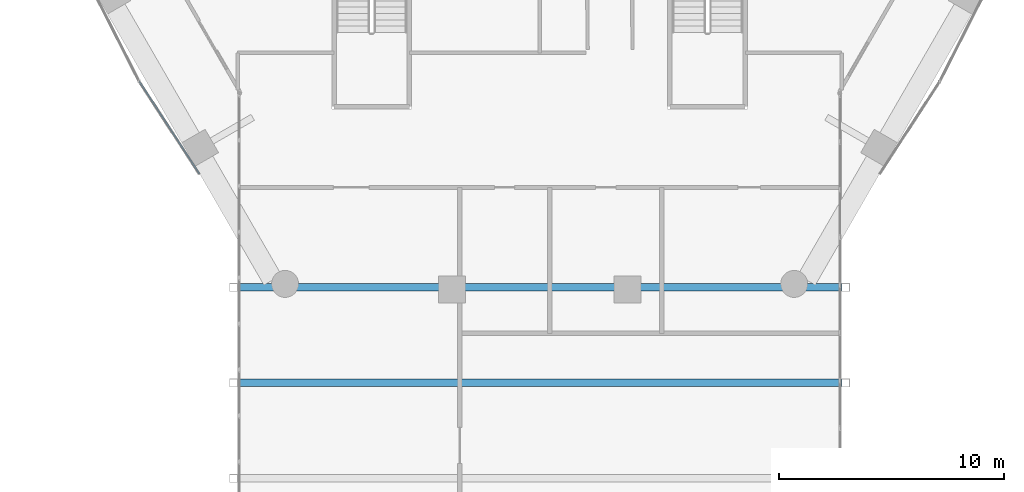
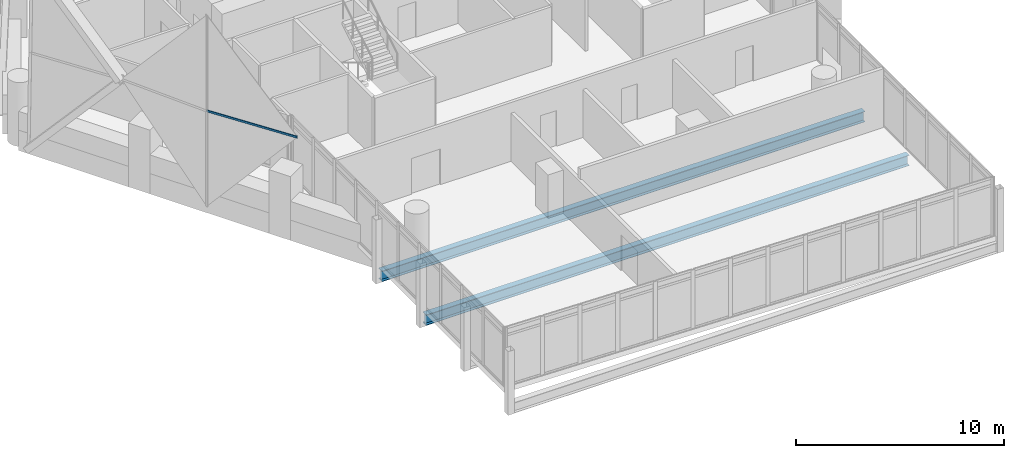
# One storey, part 8 of 38: 2 beams, 1 member, 1 element without a shape of its own.
"""IFC4 building model written with IfcOpenShell, lengths in metres."""

from ifc_helpers import new_model, si_unit, direction, frame, origin, origin_2d, place, context, subcontext, project, spatial, hollow_rectangle, i_section, extrude, material, material_profile, profile_set, type_object, element, aggregate, save


model = new_model("IFC4")

# Units and contexts
model_context = context("Model", 3, precision=1e-05, world=origin(), true_north=direction((0.0, 1.0)))
body_context = subcontext(model_context, "Body", "Model", "MODEL_VIEW")
ifc_project = project(units=[si_unit("LENGTHUNIT", "METRE"), si_unit("AREAUNIT", "SQUARE_METRE"), si_unit("VOLUMEUNIT", "CUBIC_METRE"), si_unit("PLANEANGLEUNIT", "RADIAN"), si_unit("MASSUNIT", "GRAM", prefix="KILO")], contexts=[model_context])

# Site, building, storey
site_placement = place(None, origin())
site = spatial("IfcSite", under=ifc_project, at=site_placement, CompositionType="ELEMENT")
building_placement = place(site_placement, origin())
building = spatial("IfcBuilding", under=site, at=building_placement, Name="Ostrander Bayou Hotel Tower", CompositionType="ELEMENT")
storey_placement = place(building_placement, frame((0.0, 0.0, 96.75)))
storey = spatial("IfcBuildingStorey", under=building, at=storey_placement, Name="L24", CompositionType="ELEMENT", Elevation=96.75)

# Curtain wall, member
ifc_material_1 = material(Name="Aluminium and clear glass", Category="aluminium")
curtain_wall_type = type_object("IfcCurtainWallType", Name="CW-LAT lattice glazing", PredefinedType="NOTDEFINED", material=ifc_material_1)
curtain_wall_placement = place(storey_placement, origin())
curtain_wall = element("IfcCurtainWall", 1, at=curtain_wall_placement, inside=storey, type_object=curtain_wall_type, Name="CW-LAT L24 SW 2", PredefinedType="NOTDEFINED")
ifc_material_2 = material(Name="Aluminium", Category="aluminium")
ifc_material_profile_1 = material_profile(ifc_material_2, hollow_rectangle(XDim=0.06005859375, YDim=0.1201171875, WallThickness=0.00390625, at=origin_2d()))
ifc_profile_set_1 = profile_set([ifc_material_profile_1], Name="Aluminium")
member_type = type_object("IfcMemberType", Name="CW-LA transom 60 x 120 mm", PredefinedType="USERDEFINED", material=ifc_profile_set_1)
member_placement = place(storey_placement, frame((-17.814208984375, -10.284912109375, 5.02490234375), z_axis=(0.545042556761, -0.8384083798, 0.0), x_axis=(0.8384083798, 0.545042556761, 0.0)))
member = element("IfcMember", 2, at=member_placement, type_object=member_type, Name="CW-LAT transom 7", ObjectType="TRANSOM", PredefinedType="USERDEFINED", context=body_context, shape_type="SweptSolid", body=[
    extrude(hollow_rectangle(XDim=0.06005859375, YDim=0.1201171875, WallThickness=0.00390625, at=origin_2d()), origin(), (0.0, 0.0, 1.0), 4.907470703125),
])
aggregate(curtain_wall, [member])

# Beams
ifc_material_3 = material(Name="Steel ASTM A992", Category="steel")
ifc_material_profile_2 = material_profile(ifc_material_3, i_section(OverallWidth=0.32763671875, OverallDepth=0.621826171875, WebThickness=0.015380859375, FlangeThickness=0.0244140625, at=origin_2d()))
ifc_profile_set_2 = profile_set([ifc_material_profile_2], Name="Steel ASTM A992")
beam_type = type_object("IfcBeamType", Name="TF1 bar floor beam W24x131", PredefinedType="BEAM", material=ifc_profile_set_2)
for number, where, z_axis, x_axis, name in (
    (3, (-13.442138671875, -19.450927734375, -0.61083984375), (1.0, 0.0, 0.0), (0.0, 1.0, 0.0), "TF1 SB2S L2-1"),
    (4, (-13.442138671875, -23.70068359375, -0.61083984375), (1.0, 0.0, 0.0), (0.0, 1.0, 0.0), "TF1 SB2S L2-2"),
):
    element("IfcBeam", number, at=place(storey_placement, frame(where, z_axis=z_axis, x_axis=x_axis)), inside=storey, type_object=beam_type, Name=name, PredefinedType="BEAM", context=body_context, shape_type="SweptSolid", body=[
        extrude(i_section(OverallWidth=0.32763671875, OverallDepth=0.621826171875, WebThickness=0.015380859375, FlangeThickness=0.0244140625, at=origin_2d()), origin(), (0.0, 0.0, 1.0), 26.88427734375),
    ])

save(model, "model.ifc")
